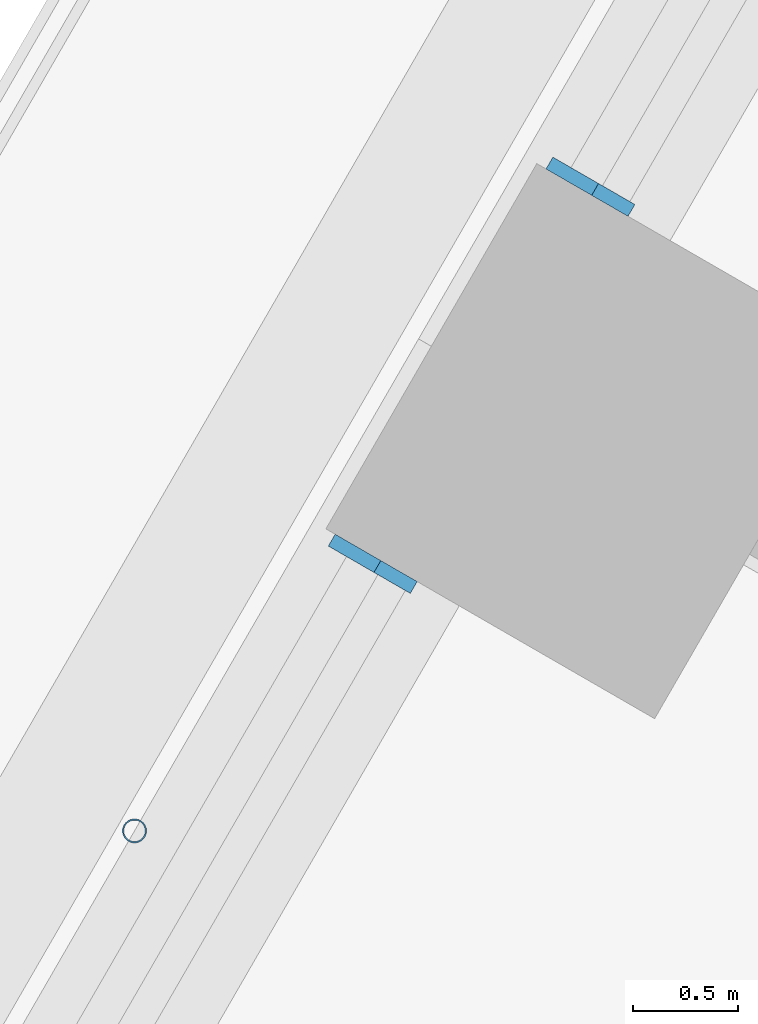
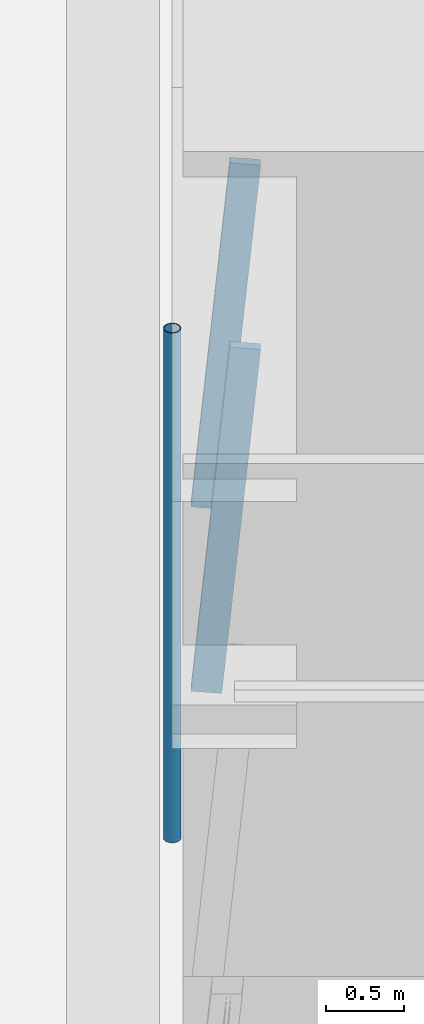
# One storey, part 7 of 23: 3 members, 2 elements without a shape of their own.
"""IFC4 building model written with IfcOpenShell, lengths in metres."""

import ifcopenshell
import ifcopenshell.guid

model = None  # the IFC model being written
_history = None  # IfcOwnerHistory: only IFC2X3 demands one
_inside = {}  # id of a spatial element -> (the spatial element, [elements in it])
_under = {}  # id of a project, library or spatial element -> (it, [spatial elements below it])
_declared = {}  # id of a project -> (the project, [libraries it declares])
_typed = {}  # id of a type object -> (the type object, [elements of that type])
_made_of = {}  # id of a material, layer set ... -> (it, [elements and type objects made of it])


def new_model(schema):
    """Start an empty IFC model of exactly this schema.

    Asked for "IFC4X3", IfcOpenShell would pick the latest addendum, in which some entities
    have other attributes; the version numbers below select the first issue.
    IFC2X3 requires an IfcOwnerHistory on every rooted entity: one is made here for all.
    """
    global model, _history
    if schema == "IFC4X3":
        model = ifcopenshell.file(schema_version=(4, 3, 0, 0))
    else:
        model = ifcopenshell.file(schema=schema)
    _inside.clear()
    _under.clear()
    _declared.clear()
    _typed.clear()
    _made_of.clear()
    _history = None
    if model.schema == "IFC2X3":
        org = make("IfcOrganization", Name="unknown")
        user = make(
            "IfcPersonAndOrganization",
            ThePerson=make("IfcPerson", FamilyName="unknown"),
            TheOrganization=org,
        )
        app = make(
            "IfcApplication",
            ApplicationDeveloper=org,
            Version="unknown",
            ApplicationFullName="unknown",
            ApplicationIdentifier="unknown",
        )
        _history = make(
            "IfcOwnerHistory",
            OwningUser=user,
            OwningApplication=app,
            ChangeAction="ADDED",
            CreationDate=0,
        )
    return model


def make(cls, **values):
    """One entity of the class cls with the attributes given. An attribute that is None is left unset."""
    return model.create_entity(
        cls, **{name: value for name, value in values.items() if value is not None}
    )


def rooted(cls, **values):
    """An entity with a GlobalId (a new one), such as an element, a storey or a relation."""
    return make(cls, GlobalId=ifcopenshell.guid.new(), OwnerHistory=_history, **values)


def si_unit(unit_type, name, prefix=None):
    """IfcSIUnit, for example si_unit("LENGTHUNIT", "METRE", prefix="MILLI")."""
    return make("IfcSIUnit", UnitType=unit_type, Prefix=prefix, Name=name)


def assignment(units):
    """IfcUnitAssignment: the units of a project."""
    return None if units is None else make("IfcUnitAssignment", Units=units)


def point(xyz):
    """IfcCartesianPoint."""
    return None if xyz is None else make("IfcCartesianPoint", Coordinates=xyz)


def direction(xyz):
    """IfcDirection."""
    return None if xyz is None else make("IfcDirection", DirectionRatios=xyz)


def frame(location, z_axis=None, x_axis=None):
    """IfcAxis2Placement3D, a coordinate frame: its origin and axes. An axis left out is left unset."""
    return make(
        "IfcAxis2Placement3D",
        Location=point(location),
        Axis=direction(z_axis),
        RefDirection=direction(x_axis),
    )


def frame_2d(location, x_axis=None):
    """IfcAxis2Placement2D, a coordinate frame in the plane: its origin and x axis."""
    return make(
        "IfcAxis2Placement2D", Location=point(location), RefDirection=direction(x_axis)
    )


def origin():
    """The frame at (0, 0, 0) with its axes left unset."""
    return frame((0.0, 0.0, 0.0))


def origin_2d():
    """The frame at (0, 0) in the plane with its x axis left unset."""
    return frame_2d((0.0, 0.0))


def place(relative_to, where):
    """IfcLocalPlacement: puts the frame where relative to a parent placement (None: the world)."""
    return make(
        "IfcLocalPlacement", PlacementRelTo=relative_to, RelativePlacement=where
    )


def context(
    kind, dimensions, precision=None, world=None, true_north=None, identifier=None
):
    """IfcGeometricRepresentationContext, for example the 3D "Model" context."""
    return make(
        "IfcGeometricRepresentationContext",
        ContextIdentifier=identifier,
        ContextType=kind,
        CoordinateSpaceDimension=dimensions,
        Precision=precision,
        WorldCoordinateSystem=world,
        TrueNorth=true_north,
    )


def subcontext(parent, identifier, kind, view, scale=None):
    """IfcGeometricRepresentationSubContext, for example "Body" below "Model"."""
    return make(
        "IfcGeometricRepresentationSubContext",
        ContextIdentifier=identifier,
        ContextType=kind,
        ParentContext=parent,
        TargetScale=scale,
        TargetView=view,
    )


def project(units=None, contexts=None):
    """IfcProject with its units and contexts."""
    return rooted(
        "IfcProject",
        Name="project",
        RepresentationContexts=contexts,
        UnitsInContext=assignment(units),
    )


def spatial(cls, under=None, at=None, **own):
    """A site, building, storey or space (cls), placed at a placement, below another one or the project."""
    s = rooted(cls, ObjectPlacement=at, **own)
    if under is not None:
        _under.setdefault(under.id(), (under, []))[1].append(s)
    return s


def profile(cls, at=None, kind="AREA", **sizes):
    """A parametric profile (cls). Its sizes go by their IFC names, for example OverallWidth=200.0."""
    return make(cls, ProfileType=kind, Position=at, **sizes)


def rectangle(**sizes):
    """IfcRectangleProfileDef."""
    return profile("IfcRectangleProfileDef", **sizes)


def hollow_circle(**sizes):
    """IfcCircleHollowProfileDef."""
    return profile("IfcCircleHollowProfileDef", **sizes)


def extrude(swept, where, along, depth):
    """IfcExtrudedAreaSolid: the profile swept, set in the frame where, extruded along a direction by depth."""
    return make(
        "IfcExtrudedAreaSolid",
        SweptArea=swept,
        Position=where,
        ExtrudedDirection=direction(along),
        Depth=depth,
    )


def shape(context_of_items, identifier, shape_type, items):
    """IfcShapeRepresentation: the items that make up one representation, for example the "Body"."""
    return make(
        "IfcShapeRepresentation",
        ContextOfItems=context_of_items,
        RepresentationIdentifier=identifier,
        RepresentationType=shape_type,
        Items=items,
    )


def material(Name=None, Category=None):
    """IfcMaterial."""
    return make("IfcMaterial", Name=Name, Category=Category)


def material_profile(
    of_material, cross_section, Name=None, Category=None, Priority=None
):
    """IfcMaterialProfile: a cross section and its material."""
    return make(
        "IfcMaterialProfile",
        Name=Name,
        Material=of_material,
        Profile=cross_section,
        Priority=Priority,
        Category=Category,
    )


def profile_set(profiles, Name=None, composite=None):
    """IfcMaterialProfileSet."""
    return make(
        "IfcMaterialProfileSet",
        Name=Name,
        MaterialProfiles=profiles,
        CompositeProfile=composite,
    )


def made_of(thing, what):
    """Note that an element or type object is made of a material, layer set ...; save() writes the relation."""
    if what is not None:
        _made_of.setdefault(what.id(), (what, []))[1].append(thing)
    return thing


def type_object(cls, material=None, **own):
    """A type object (cls), such as IfcWallType, which elements share."""
    return made_of(rooted(cls, **own), material)


def element(
    cls,
    number,
    at=None,
    inside=None,
    cuts=None,
    type_object=None,
    material=None,
    context=None,
    identifier="Body",
    shape_type=None,
    held_by="IfcProductDefinitionShape",
    body=None,
    shapes=None,
    **own,
):
    """One element of the class cls, such as IfcWall. Its Tag is "e" and its number.

    at: its placement. inside: the storey or other place that contains it. cuts: it is an
    opening in that element (IfcRelVoidsElement). A single representation is given by context,
    identifier, shape_type and body (its items); several are given by shapes. held_by: the class
    of the entity that holds the representations. save() writes the other relations.
    """
    e = rooted(cls, Tag="e%d" % number, ObjectPlacement=at, **own)
    if body is not None:
        shapes = [shape(context, identifier, shape_type, body)]
    if shapes is not None:
        e.Representation = make(held_by, Representations=shapes)
    if inside is not None:
        _inside.setdefault(inside.id(), (inside, []))[1].append(e)
    if cuts is not None:
        rooted(
            "IfcRelVoidsElement", RelatingBuildingElement=cuts, RelatedOpeningElement=e
        )
    if type_object is not None:
        _typed.setdefault(type_object.id(), (type_object, []))[1].append(e)
    return made_of(e, material)


def aggregate(whole, parts):
    """IfcRelAggregates: a whole, such as a stair, and the parts it consists of."""
    return rooted("IfcRelAggregates", RelatingObject=whole, RelatedObjects=parts)


def save(model, path):
    """Write the relations noted so far, then the file.

    IfcRelAggregates (storeys below a building ...), IfcRelContainedInSpatialStructure (elements
    in a storey), IfcRelDefinesByType, IfcRelAssociatesMaterial and IfcRelDeclares: one each for
    every whole, place, type object, material and project.
    """
    for whole, parts in _under.values():
        aggregate(whole, parts)
    for where, things in _inside.values():
        rooted(
            "IfcRelContainedInSpatialStructure",
            RelatedElements=things,
            RelatingStructure=where,
        )
    for kind, things in _typed.values():
        rooted("IfcRelDefinesByType", RelatedObjects=things, RelatingType=kind)
    for what, things in _made_of.values():
        rooted("IfcRelAssociatesMaterial", RelatedObjects=things, RelatingMaterial=what)
    for by, libraries in _declared.values():
        rooted("IfcRelDeclares", RelatingContext=by, RelatedDefinitions=libraries)
    model.write(path)


model = new_model("IFC4")

# Units and contexts
model_context = context("Model", 3, precision=1e-05, world=origin(), true_north=direction((0.0, 1.0)))
body_context = subcontext(model_context, "Body", "Model", "MODEL_VIEW")
ifc_project = project(units=[si_unit("LENGTHUNIT", "METRE"), si_unit("AREAUNIT", "SQUARE_METRE"), si_unit("VOLUMEUNIT", "CUBIC_METRE"), si_unit("PLANEANGLEUNIT", "RADIAN"), si_unit("MASSUNIT", "GRAM", prefix="KILO")], contexts=[model_context])

# Site, building, storey
site_placement = place(None, origin())
site = spatial("IfcSite", under=ifc_project, at=site_placement, CompositionType="ELEMENT")
building_placement = place(site_placement, origin())
building = spatial("IfcBuilding", under=site, at=building_placement, Name="Tarfa Lantern Tower", CompositionType="ELEMENT")
storey_placement = place(building_placement, frame((0.0, 0.0, 48.699951171875)))
storey = spatial("IfcBuildingStorey", under=building, at=storey_placement, Name="L10", CompositionType="ELEMENT", Elevation=48.699951171875)

# Curtain wall, member
ifc_material_1 = material(Name="Aluminium framed curtain wall", Category="aluminium")
curtain_wall_type = type_object("IfcCurtainWallType", Name="CW1 CANTED GLAZING LOW ZONE 2700", PredefinedType="USERDEFINED", material=ifc_material_1)
curtain_wall_1_placement = place(storey_placement, origin())
curtain_wall_1 = element("IfcCurtainWall", 1, at=curtain_wall_1_placement, inside=storey, type_object=curtain_wall_type, Name="CW1 NW L10", ObjectType="CURTAIN WALL", PredefinedType="USERDEFINED")
ifc_material_2 = material(Name="Aluminium mullion", Category="aluminium")
ifc_material_profile_1 = material_profile(ifc_material_2, rectangle(XDim=0.06494140625, YDim=0.199951171875, at=origin_2d()), Name="AL MULLION 65x200")
ifc_profile_set_1 = profile_set([ifc_material_profile_1], Name="Aluminium mullion")
member_type_1 = type_object("IfcMemberType", Name="CWM1 MULLION 65x200", PredefinedType="MULLION", material=ifc_profile_set_1)
member_1_placement = place(storey_placement, frame((-31.536376953125, 13.177490234375, 0.0), z_axis=(0.07986442134, -0.046099868913, 0.99573916077), x_axis=(0.499919672301, 0.866071776036, 0.0)))
member_1 = element("IfcMember", 2, at=member_1_placement, type_object=member_type_1, Name="CW1 mullion 2", PredefinedType="MULLION", context=body_context, shape_type="SweptSolid", body=[
    extrude(rectangle(XDim=0.06494140625, YDim=0.199951171875, at=origin_2d()), origin(), (0.0, 0.0, 1.0), 2.71142578125),
])
aggregate(curtain_wall_1, [member_1])

curtain_wall_2_placement = place(storey_placement, origin())
curtain_wall_2 = element("IfcCurtainWall", 3, at=curtain_wall_2_placement, inside=storey, type_object=curtain_wall_type, Name="CW1 NW L10", ObjectType="CURTAIN WALL", PredefinedType="USERDEFINED")
member_2_placement = place(storey_placement, frame((-32.56884765625, 11.38916015625, 0.0), z_axis=(0.07986442134, -0.046099868913, 0.99573916077), x_axis=(0.499919672301, 0.866071776036, 0.0)))
member_2 = element("IfcMember", 4, at=member_2_placement, type_object=member_type_1, Name="CW1 mullion 1", PredefinedType="MULLION", context=body_context, shape_type="SweptSolid", body=[
    extrude(rectangle(XDim=0.06494140625, YDim=0.199951171875, at=origin_2d()), origin(), (0.0, 0.0, 1.0), 2.71142578125),
])
aggregate(curtain_wall_2, [member_2])

# Member
ifc_material_3 = material(Name="Steel S355", Category="steel")
ifc_material_profile_2 = material_profile(ifc_material_3, hollow_circle(Radius=0.05712890625, WallThickness=0.00634765625, at=origin_2d()), Name="CHS114.3x6.3")
ifc_profile_set_2 = profile_set([ifc_material_profile_2], Name="Steel S355")
member_type_2 = type_object("IfcMemberType", Name="TR1 GREEN WALL TRELLIS CHS114.3x6.3", PredefinedType="USERDEFINED", material=ifc_profile_set_2)
member_3_placement = place(storey_placement, frame((-33.59033203125, 10.06005859375, 0.0), z_axis=(0.0, 0.0, 1.0), x_axis=(1.0, 0.0, 0.0)))
element("IfcMember", 5, at=member_3_placement, inside=storey, type_object=member_type_2, Name="Trellis post NW 2", ObjectType="TRELLIS", PredefinedType="USERDEFINED", context=body_context, shape_type="SweptSolid", body=[
    extrude(hollow_circle(Radius=0.05712890625, WallThickness=0.00634765625, at=origin_2d()), origin(), (0.0, 0.0, 1.0), 4.0),
])

save(model, "model.ifc")
